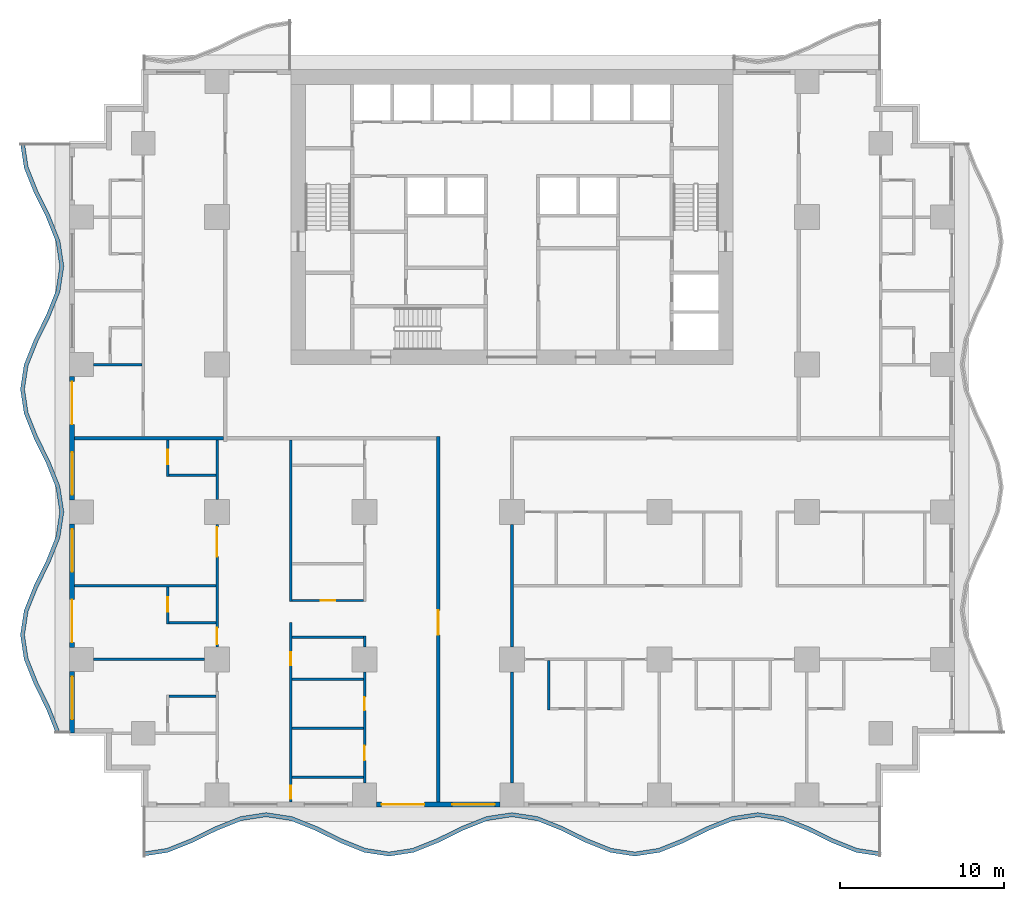
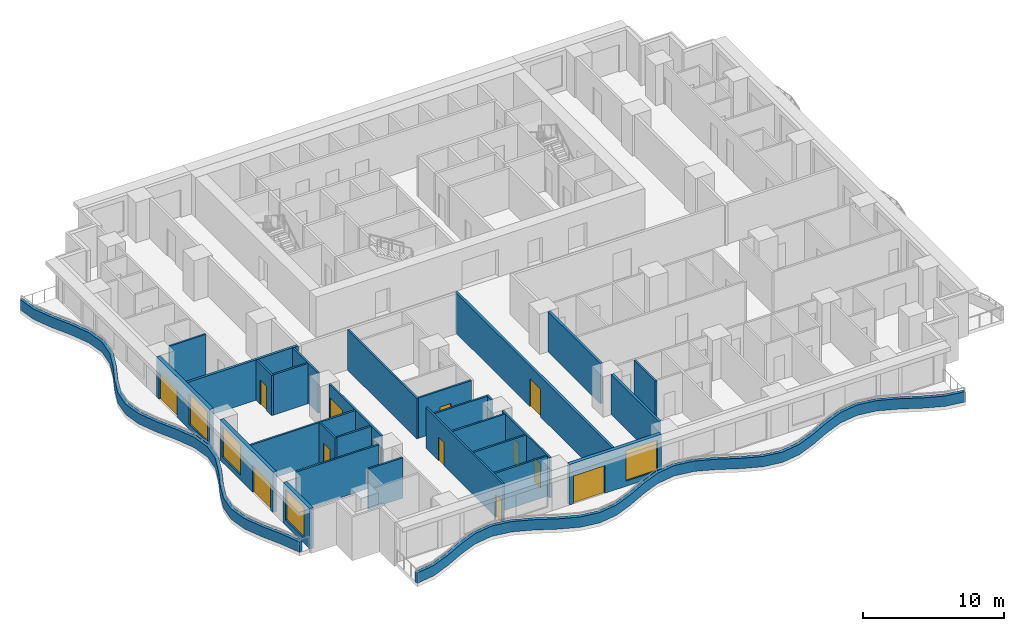
# One storey, part 2 of 14: 30 walls, 13 doors, 4 windows, 17 openings.
"""IFC4 building model written with IfcOpenShell, lengths in metres."""

from ifc_helpers import new_model, si_unit, direction, frame, frame_2d, origin, place, context, subcontext, project, spatial, polyline, rectangle, outline, extrude, material, layer, layer_set, type_object, element, fill, save


model = new_model("IFC4")

# Units and contexts
model_context = context("Model", 3, precision=1e-05, world=origin(), true_north=direction((0.0, 1.0)))
body_context = subcontext(model_context, "Body", "Model", "MODEL_VIEW")
ifc_project = project(units=[si_unit("LENGTHUNIT", "METRE"), si_unit("AREAUNIT", "SQUARE_METRE"), si_unit("VOLUMEUNIT", "CUBIC_METRE"), si_unit("PLANEANGLEUNIT", "RADIAN"), si_unit("MASSUNIT", "GRAM", prefix="KILO")], contexts=[model_context])

# Site, building, storey
site_placement = place(None, origin())
site = spatial("IfcSite", under=ifc_project, at=site_placement, CompositionType="ELEMENT")
building_placement = place(site_placement, origin())
building = spatial("IfcBuilding", under=site, at=building_placement, Name="Orbiselva Terraces", CompositionType="ELEMENT")
storey_placement = place(building_placement, frame((0.0, 0.0, 22.6)))
storey = spatial("IfcBuildingStorey", under=building, at=storey_placement, Name="L05", CompositionType="ELEMENT", Elevation=22.6)

# Walls
ifc_material_1 = material(Name="Concrete C40/50", Category="concrete")
ifc_layer_1 = layer(ifc_material_1, 0.25)
ifc_layer_set_1 = layer_set([ifc_layer_1], Name="Concrete C40/50")
wall_type_1 = type_object("IfcWallType", Name="ENV-PLANTER-250x900", PredefinedType="USERDEFINED", material=ifc_layer_set_1)
wall_1_placement = place(storey_placement, origin())
element("IfcWall", 1, at=wall_1_placement, inside=storey, type_object=wall_type_1, Name="Balcony planter L05 S", ObjectType="PLANTER", PredefinedType="USERDEFINED", context=body_context, shape_type="SweptSolid", body=[
    extrude(outline(polyline([(-22.5, -25.5), (-21.0, -25.27082), (-19.5, -24.67082), (-18.0, -23.92918), (-16.5, -23.32918), (-15.0, -23.1), (-13.5, -23.32918), (-12.0, -23.92918), (-10.5, -24.67082), (-9.0, -25.27082), (-7.5, -25.5), (-6.0, -25.27082), (-4.5, -24.67082), (-3.0, -23.92918), (-1.5, -23.32918), (0.0, -23.1), (1.5, -23.32918), (3.0, -23.92918), (4.5, -24.67082), (6.0, -25.27082), (7.5, -25.5), (9.0, -25.27082), (10.5, -24.67082), (12.0, -23.92918), (13.5, -23.32918), (15.0, -23.1), (16.5, -23.32918), (18.0, -23.92918), (19.5, -24.67082), (21.0, -25.27082), (22.5, -25.5), (22.537758, -25.252868), (21.066166, -25.028028), (19.601983, -24.442355), (18.101983, -23.700715), (16.566166, -23.086388), (15.0, -22.847099), (13.433834, -23.086388), (11.898017, -23.700715), (10.398017, -24.442355), (8.933834, -25.028028), (7.5, -25.247099), (6.066166, -25.028028), (4.601983, -24.442355), (3.101983, -23.700715), (1.566166, -23.086388), (0.0, -22.847099), (-1.566166, -23.086388), (-3.101983, -23.700715), (-4.601983, -24.442355), (-6.066166, -25.028028), (-7.5, -25.247099), (-8.933834, -25.028028), (-10.398017, -24.442355), (-11.898017, -23.700715), (-13.433834, -23.086388), (-15.0, -22.847099), (-16.566166, -23.086388), (-18.101983, -23.700715), (-19.601983, -24.442355), (-21.066166, -25.028028), (-22.537758, -25.252868), (-22.5, -25.5)])), origin(), (0.0, 0.0, 1.0), 0.9),
])
wall_2_placement = place(storey_placement, origin())
element("IfcWall", 2, at=wall_2_placement, inside=storey, type_object=wall_type_1, Name="Balcony planter L05 W", ObjectType="PLANTER", PredefinedType="USERDEFINED", context=body_context, shape_type="SweptSolid", body=[
    extrude(outline(polyline([(-30.0, 18.0), (-29.77082, 16.5), (-29.17082, 15.0), (-28.42918, 13.5), (-27.82918, 12.0), (-27.6, 10.5), (-27.82918, 9.0), (-28.42918, 7.5), (-29.17082, 6.0), (-29.77082, 4.5), (-30.0, 3.0), (-29.77082, 1.5), (-29.17082, 0.0), (-28.42918, -1.5), (-27.82918, -3.0), (-27.6, -4.5), (-27.82918, -6.0), (-28.42918, -7.5), (-29.17082, -9.0), (-29.77082, -10.5), (-30.0, -12.0), (-29.77082, -13.5), (-29.17082, -15.0), (-28.42918, -16.5), (-27.82918, -18.0), (-27.597061, -17.907152), (-28.200715, -16.398017), (-28.942355, -14.898017), (-29.528028, -13.433834), (-29.747099, -12.0), (-29.528028, -10.566166), (-28.942355, -9.101983), (-28.200715, -7.601983), (-27.586388, -6.066166), (-27.347099, -4.5), (-27.586388, -2.933834), (-28.200715, -1.398017), (-28.942355, 0.101983), (-29.528028, 1.566166), (-29.747099, 3.0), (-29.528028, 4.433834), (-28.942355, 5.898017), (-28.200715, 7.398017), (-27.586388, 8.933834), (-27.347099, 10.5), (-27.586388, 12.066166), (-28.200715, 13.601983), (-28.942355, 15.101983), (-29.528028, 16.566166), (-29.752868, 18.037758), (-30.0, 18.0)])), origin(), (0.0, 0.0, 1.0), 0.9),
])

# Wall, openings, door, window
ifc_material_2 = material(Name="Terracotta cladding on masonry backing", Category="masonry")
ifc_layer_2 = layer(ifc_material_2, 0.3)
ifc_layer_set_2 = layer_set([ifc_layer_2], Name="Terracotta cladding on masonry backing")
wall_type_2 = type_object("IfcWallType", Name="ENV-WALL-TERRACOTTA-300", PredefinedType="SOLIDWALL", material=ifc_layer_set_2)
wall_3_placement = place(storey_placement, frame((-0.725, -22.35, 0.0), z_axis=(0.0, 0.0, 1.0), x_axis=(-1.0, 0.0, 0.0)))
wall_3 = element("IfcWall", 3, at=wall_3_placement, inside=storey, type_object=wall_type_2, Name="Facade wall L05 S", PredefinedType="SOLIDWALL", context=body_context, shape_type="SweptSolid", body=[
    extrude(rectangle(XDim=7.55, YDim=0.3, at=frame_2d((3.775, 0.0))), origin(), (0.0, 0.0, 1.0), 3.5),
])
opening_1_placement = place(wall_3_placement, frame((4.625, 0.0, 0.0)))
opening_1 = element("IfcOpeningElement", 4, at=opening_1_placement, cuts=wall_3, Name="Opening Z1-A-E12", PredefinedType="OPENING", context=body_context, shape_type="SweptSolid", body=[
    extrude(rectangle(XDim=2.6, YDim=2.4, at=frame_2d((1.3, 1.2))), frame((0.0, 0.16, 0.0), z_axis=(0.0, -1.0, 0.0), x_axis=(1.0, 0.0, 0.0)), (0.0, 0.0, 1.0), 0.32),
])
opening_2_placement = place(wall_3_placement, frame((0.325, 0.0, 0.45)))
opening_2 = element("IfcOpeningElement", 5, at=opening_2_placement, cuts=wall_3, Name="Opening WN1", PredefinedType="OPENING", context=body_context, shape_type="SweptSolid", body=[
    extrude(rectangle(XDim=2.6, YDim=2.65, at=frame_2d((1.3, 1.325))), frame((0.0, 0.16, 0.0), z_axis=(0.0, -1.0, 0.0), x_axis=(1.0, 0.0, 0.0)), (0.0, 0.0, 1.0), 0.32),
])
ifc_material_3 = material(Name="Clear low-e glazing in aluminium frame", Category="aluminium")
door_type_1 = type_object("IfcDoorType", Name="BALCONY DOOR 2600 X 2400", OperationType="DOUBLE_DOOR_SLIDING", PredefinedType="DOOR", material=ifc_material_3)
door_1_placement = place(opening_1_placement, origin())
door_1 = element("IfcDoor", 6, at=door_1_placement, inside=storey, type_object=door_type_1, Name="Z1-A-E12", OperationType="SINGLE_SWING_LEFT", OverallHeight=2.4, OverallWidth=2.6, PredefinedType="DOOR", context=body_context, shape_type="SweptSolid", body=[
    extrude(rectangle(XDim=2.6, YDim=2.4, at=frame_2d((1.3, 1.2))), frame((0.0, 0.025, 0.0), z_axis=(0.0, -1.0, 0.0), x_axis=(1.0, 0.0, 0.0)), (0.0, 0.0, 1.0), 0.05),
])
fill(opening_1, door_1)
window_type = type_object("IfcWindowType", Name="WINDOW 2600 X 2650 S450", PartitioningType="TRIPLE_PANEL_VERTICAL", PredefinedType="WINDOW", material=ifc_material_3)
window_1_placement = place(opening_2_placement, origin())
window_1 = element("IfcWindow", 7, at=window_1_placement, inside=storey, type_object=window_type, Name="Window L05 S", OverallHeight=2.65, OverallWidth=2.6, PartitioningType="SINGLE_PANEL", PredefinedType="WINDOW", context=body_context, shape_type="SweptSolid", body=[
    extrude(rectangle(XDim=2.6, YDim=2.65, at=frame_2d((1.3, 1.325))), frame((0.0, 0.03, 0.0), z_axis=(0.0, -1.0, 0.0), x_axis=(1.0, 0.0, 0.0)), (0.0, 0.0, 1.0), 0.06),
])
fill(opening_2, window_1)

wall_4_placement = place(storey_placement, frame((-26.85, -3.775, 0.0), z_axis=(0.0, 0.0, 1.0), x_axis=(0.0, 1.0, 0.0)))
wall_4 = element("IfcWall", 8, at=wall_4_placement, inside=storey, type_object=wall_type_2, Name="Facade wall L05 W", PredefinedType="SOLIDWALL", context=body_context, shape_type="SweptSolid", body=[
    extrude(rectangle(XDim=7.55, YDim=0.3, at=frame_2d((3.775, 0.0))), origin(), (0.0, 0.0, 1.0), 3.5),
])
opening_3_placement = place(wall_4_placement, frame((4.625, 0.0, 0.0)))
opening_3 = element("IfcOpeningElement", 9, at=opening_3_placement, cuts=wall_4, Name="Opening Z1-A-E16", PredefinedType="OPENING", context=body_context, shape_type="SweptSolid", body=[
    extrude(rectangle(XDim=2.6, YDim=2.4, at=frame_2d((1.3, 1.2))), frame((0.0, 0.16, 0.0), z_axis=(0.0, -1.0, 0.0), x_axis=(1.0, 0.0, 0.0)), (0.0, 0.0, 1.0), 0.32),
])
opening_4_placement = place(wall_4_placement, frame((0.325, 0.0, 0.45)))
opening_4 = element("IfcOpeningElement", 10, at=opening_4_placement, cuts=wall_4, Name="Opening WN1", PredefinedType="OPENING", context=body_context, shape_type="SweptSolid", body=[
    extrude(rectangle(XDim=2.6, YDim=2.65, at=frame_2d((1.3, 1.325))), frame((0.0, 0.16, 0.0), z_axis=(0.0, -1.0, 0.0), x_axis=(1.0, 0.0, 0.0)), (0.0, 0.0, 1.0), 0.32),
])
door_2_placement = place(opening_3_placement, origin())
door_2 = element("IfcDoor", 11, at=door_2_placement, inside=storey, type_object=door_type_1, Name="Z1-A-E16", OperationType="SINGLE_SWING_LEFT", OverallHeight=2.4, OverallWidth=2.6, PredefinedType="DOOR", context=body_context, shape_type="SweptSolid", body=[
    extrude(rectangle(XDim=2.6, YDim=2.4, at=frame_2d((1.3, 1.2))), frame((0.0, 0.025, 0.0), z_axis=(0.0, -1.0, 0.0), x_axis=(1.0, 0.0, 0.0)), (0.0, 0.0, 1.0), 0.05),
])
fill(opening_3, door_2)
window_2_placement = place(opening_4_placement, origin())
window_2 = element("IfcWindow", 12, at=window_2_placement, inside=storey, type_object=window_type, Name="Window L05 W", OverallHeight=2.65, OverallWidth=2.6, PartitioningType="SINGLE_PANEL", PredefinedType="WINDOW", context=body_context, shape_type="SweptSolid", body=[
    extrude(rectangle(XDim=2.6, YDim=2.65, at=frame_2d((1.3, 1.325))), frame((0.0, 0.03, 0.0), z_axis=(0.0, -1.0, 0.0), x_axis=(1.0, 0.0, 0.0)), (0.0, 0.0, 1.0), 0.06),
])
fill(opening_4, window_2)

wall_5_placement = place(storey_placement, frame((-26.85, -12.775, 0.0), z_axis=(0.0, 0.0, 1.0), x_axis=(0.0, 1.0, 0.0)))
wall_5 = element("IfcWall", 13, at=wall_5_placement, inside=storey, type_object=wall_type_2, Name="Facade wall L05 W", PredefinedType="SOLIDWALL", context=body_context, shape_type="SweptSolid", body=[
    extrude(rectangle(XDim=7.55, YDim=0.3, at=frame_2d((3.775, 0.0))), origin(), (0.0, 0.0, 1.0), 3.5),
])
opening_5_placement = place(wall_5_placement, frame((4.625, 0.0, 0.45)))
opening_5 = element("IfcOpeningElement", 14, at=opening_5_placement, cuts=wall_5, Name="Opening WN1", PredefinedType="OPENING", context=body_context, shape_type="SweptSolid", body=[
    extrude(rectangle(XDim=2.6, YDim=2.65, at=frame_2d((1.3, 1.325))), frame((0.0, 0.16, 0.0), z_axis=(0.0, -1.0, 0.0), x_axis=(1.0, 0.0, 0.0)), (0.0, 0.0, 1.0), 0.32),
])
opening_6_placement = place(wall_5_placement, frame((0.325, 0.0, 0.0)))
opening_6 = element("IfcOpeningElement", 15, at=opening_6_placement, cuts=wall_5, Name="Opening Z1-A-E17", PredefinedType="OPENING", context=body_context, shape_type="SweptSolid", body=[
    extrude(rectangle(XDim=2.6, YDim=2.4, at=frame_2d((1.3, 1.2))), frame((0.0, 0.16, 0.0), z_axis=(0.0, -1.0, 0.0), x_axis=(1.0, 0.0, 0.0)), (0.0, 0.0, 1.0), 0.32),
])
door_3_placement = place(opening_6_placement, origin())
door_3 = element("IfcDoor", 16, at=door_3_placement, inside=storey, type_object=door_type_1, Name="Z1-A-E17", OperationType="SINGLE_SWING_LEFT", OverallHeight=2.4, OverallWidth=2.6, PredefinedType="DOOR", context=body_context, shape_type="SweptSolid", body=[
    extrude(rectangle(XDim=2.6, YDim=2.4, at=frame_2d((1.3, 1.2))), frame((0.0, 0.025, 0.0), z_axis=(0.0, -1.0, 0.0), x_axis=(1.0, 0.0, 0.0)), (0.0, 0.0, 1.0), 0.05),
])
fill(opening_6, door_3)
window_3_placement = place(opening_5_placement, origin())
window_3 = element("IfcWindow", 17, at=window_3_placement, inside=storey, type_object=window_type, Name="Window L05 W", OverallHeight=2.65, OverallWidth=2.6, PartitioningType="SINGLE_PANEL", PredefinedType="WINDOW", context=body_context, shape_type="SweptSolid", body=[
    extrude(rectangle(XDim=2.6, YDim=2.65, at=frame_2d((1.3, 1.325))), frame((0.0, 0.03, 0.0), z_axis=(0.0, -1.0, 0.0), x_axis=(1.0, 0.0, 0.0)), (0.0, 0.0, 1.0), 0.06),
])
fill(opening_5, window_3)

# Wall, opening, window
wall_6_placement = place(storey_placement, frame((-26.85, -18.0, 0.0), z_axis=(0.0, 0.0, 1.0), x_axis=(0.0, 1.0, 0.0)))
wall_6 = element("IfcWall", 18, at=wall_6_placement, inside=storey, type_object=wall_type_2, Name="Facade wall L05 W", PredefinedType="SOLIDWALL", context=body_context, shape_type="SweptSolid", body=[
    extrude(rectangle(XDim=3.775, YDim=0.3, at=frame_2d((1.8875, 0.0))), origin(), (0.0, 0.0, 1.0), 3.5),
])
opening_7_placement = place(wall_6_placement, frame((0.85, 0.0, 0.45)))
opening_7 = element("IfcOpeningElement", 19, at=opening_7_placement, cuts=wall_6, Name="Opening WN1", PredefinedType="OPENING", context=body_context, shape_type="SweptSolid", body=[
    extrude(rectangle(XDim=2.6, YDim=2.65, at=frame_2d((1.3, 1.325))), frame((0.0, 0.16, 0.0), z_axis=(0.0, -1.0, 0.0), x_axis=(1.0, 0.0, 0.0)), (0.0, 0.0, 1.0), 0.32),
])
window_4_placement = place(opening_7_placement, origin())
window_4 = element("IfcWindow", 20, at=window_4_placement, inside=storey, type_object=window_type, Name="Window L05 W", OverallHeight=2.65, OverallWidth=2.6, PartitioningType="SINGLE_PANEL", PredefinedType="WINDOW", context=body_context, shape_type="SweptSolid", body=[
    extrude(rectangle(XDim=2.6, YDim=2.65, at=frame_2d((1.3, 1.325))), frame((0.0, 0.03, 0.0), z_axis=(0.0, -1.0, 0.0), x_axis=(1.0, 0.0, 0.0)), (0.0, 0.0, 1.0), 0.06),
])
fill(opening_7, window_4)

# Wall, opening, door
ifc_material_4 = material(Name="Plasterboard on steel stud partition", Category="steel")
ifc_layer_3 = layer(ifc_material_4, 0.2)
ifc_layer_set_3 = layer_set([ifc_layer_3], Name="Plasterboard on steel stud partition")
wall_type_3 = type_object("IfcWallType", Name="UNIT-ENTRANCE-WALL-200", PredefinedType="PARTITIONING", material=ifc_layer_set_3)
wall_7_placement = place(storey_placement, frame((-4.5, -22.2, 0.0), z_axis=(0.0, 0.0, 1.0), x_axis=(0.0, 1.0, 0.0)))
wall_7 = element("IfcWall", 21, at=wall_7_placement, inside=storey, type_object=wall_type_3, Name="PARTITION L05-066", PredefinedType="PARTITIONING", context=body_context, shape_type="SweptSolid", body=[
    extrude(rectangle(XDim=22.3, YDim=0.2, at=frame_2d((11.15, 0.0))), origin(), (0.0, 0.0, 1.0), 3.5),
])
opening_8_placement = place(wall_7_placement, frame((10.2, 0.0, 0.0)))
opening_8 = element("IfcOpeningElement", 22, at=opening_8_placement, cuts=wall_7, Name="Opening Z1-A-17", PredefinedType="OPENING", context=body_context, shape_type="SweptSolid", body=[
    extrude(rectangle(XDim=1.5, YDim=2.4, at=frame_2d((0.75, 1.2))), frame((0.0, 0.11, 0.0), z_axis=(0.0, -1.0, 0.0), x_axis=(1.0, 0.0, 0.0)), (0.0, 0.0, 1.0), 0.22),
])
ifc_material_5 = material(Name="Painted timber door leaf", Category="wood")
door_type_2 = type_object("IfcDoorType", Name="ENTRANCE DOUBLE DOOR 1500", OperationType="NOTDEFINED", PredefinedType="DOOR", material=ifc_material_5)
door_4_placement = place(opening_8_placement, origin())
door_4 = element("IfcDoor", 23, at=door_4_placement, inside=storey, type_object=door_type_2, Name="Z1-A-17", OperationType="DOUBLE_DOOR_SINGLE_SWING", OverallHeight=2.4, OverallWidth=1.5, PredefinedType="DOOR", context=body_context, shape_type="SweptSolid", body=[
    extrude(rectangle(XDim=1.5, YDim=2.4, at=frame_2d((0.75, 1.2))), frame((0.0, 0.025, 0.0), z_axis=(0.0, -1.0, 0.0), x_axis=(1.0, 0.0, 0.0)), (0.0, 0.0, 1.0), 0.05),
])
fill(opening_8, door_4)

# Walls
wall_8_placement = place(storey_placement, frame((0.0, -21.05, 0.0), z_axis=(0.0, 0.0, 1.0), x_axis=(0.0, 1.0, 0.0)))
element("IfcWall", 24, at=wall_8_placement, inside=storey, type_object=wall_type_3, Name="PARTITION L05-067", PredefinedType="PARTITIONING", context=body_context, shape_type="SweptSolid", body=[
    extrude(rectangle(XDim=6.775, YDim=0.2, at=frame_2d((3.3875, 0.0))), origin(), (0.0, 0.0, 1.0), 3.5),
])
wall_9_placement = place(storey_placement, frame((0.0, -12.725, 0.0), z_axis=(0.0, 0.0, 1.0), x_axis=(0.0, 1.0, 0.0)))
element("IfcWall", 25, at=wall_9_placement, inside=storey, type_object=wall_type_3, Name="PARTITION L05-068", PredefinedType="PARTITIONING", context=body_context, shape_type="SweptSolid", body=[
    extrude(rectangle(XDim=7.45, YDim=0.2, at=frame_2d((3.725, 0.0))), origin(), (0.0, 0.0, 1.0), 3.5),
])
ifc_layer_4 = layer(ifc_material_4, 0.15)
ifc_layer_set_4 = layer_set([ifc_layer_4], Name="Plasterboard on steel stud partition")
wall_type_4 = type_object("IfcWallType", Name="UNIT-PARTITION-150", PredefinedType="PARTITIONING", material=ifc_layer_set_4)
for number, where, z_axis, x_axis, name in (
    (26, (-13.425, -20.7, 0.0), (0.0, 0.0, 1.0), (1.0, 0.0, 0.0), "PARTITION L05-001"),
    (27, (-13.425, -17.7, 0.0), (0.0, 0.0, 1.0), (1.0, 0.0, 0.0), "PARTITION L05-004"),
):
    element("IfcWall", number, at=place(storey_placement, frame(where, z_axis=z_axis, x_axis=x_axis)), inside=storey, type_object=wall_type_4, Name=name, PredefinedType="PARTITIONING", context=body_context, shape_type="SweptSolid", body=[
        extrude(rectangle(XDim=4.35, YDim=0.15, at=frame_2d((2.175, 0.0))), origin(), (0.0, 0.0, 1.0), 3.5),
    ])
wall_10_placement = place(storey_placement, frame((-20.925, -15.75, 0.0), z_axis=(0.0, 0.0, 1.0), x_axis=(1.0, 0.0, 0.0)))
element("IfcWall", 28, at=wall_10_placement, inside=storey, type_object=wall_type_4, Name="PARTITION L05-010", PredefinedType="PARTITIONING", context=body_context, shape_type="SweptSolid", body=[
    extrude(rectangle(XDim=2.85, YDim=0.15, at=frame_2d((1.425, 0.0))), origin(), (0.0, 0.0, 1.0), 3.5),
])
wall_11_placement = place(storey_placement, frame((-13.425, -14.7, 0.0), z_axis=(0.0, 0.0, 1.0), x_axis=(1.0, 0.0, 0.0)))
element("IfcWall", 29, at=wall_11_placement, inside=storey, type_object=wall_type_4, Name="PARTITION L05-011", PredefinedType="PARTITIONING", context=body_context, shape_type="SweptSolid", body=[
    extrude(rectangle(XDim=4.35, YDim=0.15, at=frame_2d((2.175, 0.0))), origin(), (0.0, 0.0, 1.0), 3.5),
])
wall_12_placement = place(storey_placement, frame((-25.55, -13.5, 0.0), z_axis=(0.0, 0.0, 1.0), x_axis=(1.0, 0.0, 0.0)))
element("IfcWall", 30, at=wall_12_placement, inside=storey, type_object=wall_type_4, Name="PARTITION L05-012", PredefinedType="PARTITIONING", context=body_context, shape_type="SweptSolid", body=[
    extrude(rectangle(XDim=6.775, YDim=0.15, at=frame_2d((3.3875, 0.0))), origin(), (0.0, 0.0, 1.0), 3.5),
])
wall_13_placement = place(storey_placement, frame((-13.425, -12.15, 0.0), z_axis=(0.0, 0.0, 1.0), x_axis=(1.0, 0.0, 0.0)))
element("IfcWall", 31, at=wall_13_placement, inside=storey, type_object=wall_type_4, Name="PARTITION L05-016", PredefinedType="PARTITIONING", context=body_context, shape_type="SweptSolid", body=[
    extrude(rectangle(XDim=4.35, YDim=0.15, at=frame_2d((2.175, 0.0))), origin(), (0.0, 0.0, 1.0), 3.5),
])
wall_14_placement = place(storey_placement, frame((-20.925, -11.25, 0.0), z_axis=(0.0, 0.0, 1.0), x_axis=(1.0, 0.0, 0.0)))
element("IfcWall", 32, at=wall_14_placement, inside=storey, type_object=wall_type_4, Name="PARTITION L05-017", PredefinedType="PARTITIONING", context=body_context, shape_type="SweptSolid", body=[
    extrude(rectangle(XDim=2.85, YDim=0.15, at=frame_2d((1.425, 0.0))), origin(), (0.0, 0.0, 1.0), 3.5),
])

# Wall, opening, door
wall_15_placement = place(storey_placement, frame((-13.425, -9.9, 0.0), z_axis=(0.0, 0.0, 1.0), x_axis=(1.0, 0.0, 0.0)))
wall_15 = element("IfcWall", 33, at=wall_15_placement, inside=storey, type_object=wall_type_4, Name="PARTITION L05-018", PredefinedType="PARTITIONING", context=body_context, shape_type="SweptSolid", body=[
    extrude(rectangle(XDim=4.35, YDim=0.15, at=frame_2d((2.175, 0.0))), origin(), (0.0, 0.0, 1.0), 3.5),
])
opening_9_placement = place(wall_15_placement, frame((1.75, 0.0, 0.0)))
opening_9 = element("IfcOpeningElement", 34, at=opening_9_placement, cuts=wall_15, Name="Opening Z1-A-20", PredefinedType="OPENING", context=body_context, shape_type="SweptSolid", body=[
    extrude(rectangle(XDim=0.9, YDim=2.1, at=frame_2d((0.45, 1.05))), frame((0.0, 0.085, 0.0), z_axis=(0.0, -1.0, 0.0), x_axis=(1.0, 0.0, 0.0)), (0.0, 0.0, 1.0), 0.17),
])
door_type_3 = type_object("IfcDoorType", Name="BATH DOOR 900", OperationType="NOTDEFINED", PredefinedType="DOOR", material=ifc_material_5)
door_5_placement = place(opening_9_placement, origin())
door_5 = element("IfcDoor", 35, at=door_5_placement, inside=storey, type_object=door_type_3, Name="Z1-A-20", OperationType="SINGLE_SWING_RIGHT", OverallHeight=2.1, OverallWidth=0.9, PredefinedType="DOOR", context=body_context, shape_type="SweptSolid", body=[
    extrude(rectangle(XDim=0.9, YDim=2.1, at=frame_2d((0.45, 1.05))), frame((0.0, 0.025, 0.0), z_axis=(0.0, -1.0, 0.0), x_axis=(1.0, 0.0, 0.0)), (0.0, 0.0, 1.0), 0.05),
])
fill(opening_9, door_5)

# Walls
wall_16_placement = place(storey_placement, frame((-26.7, -9.0, 0.0), z_axis=(0.0, 0.0, 1.0), x_axis=(1.0, 0.0, 0.0)))
element("IfcWall", 36, at=wall_16_placement, inside=storey, type_object=wall_type_4, Name="PARTITION L05-019", PredefinedType="PARTITIONING", context=body_context, shape_type="SweptSolid", body=[
    extrude(rectangle(XDim=8.625, YDim=0.15, at=frame_2d((4.3125, 0.0))), origin(), (0.0, 0.0, 1.0), 3.5),
])
wall_17_placement = place(storey_placement, frame((-20.925, -2.25, 0.0), z_axis=(0.0, 0.0, 1.0), x_axis=(1.0, 0.0, 0.0)))
element("IfcWall", 37, at=wall_17_placement, inside=storey, type_object=wall_type_4, Name="PARTITION L05-027", PredefinedType="PARTITIONING", context=body_context, shape_type="SweptSolid", body=[
    extrude(rectangle(XDim=2.85, YDim=0.15, at=frame_2d((1.425, 0.0))), origin(), (0.0, 0.0, 1.0), 3.5),
])
wall_18_placement = place(storey_placement, frame((-25.55, 4.5, 0.0), z_axis=(0.0, 0.0, 1.0), x_axis=(1.0, 0.0, 0.0)))
element("IfcWall", 38, at=wall_18_placement, inside=storey, type_object=wall_type_4, Name="PARTITION L05-033", PredefinedType="PARTITIONING", context=body_context, shape_type="SweptSolid", body=[
    extrude(rectangle(XDim=2.975, YDim=0.15, at=frame_2d((1.4875, 0.0))), origin(), (0.0, 0.0, 1.0), 3.5),
])

# Wall, opening, door
wall_19_placement = place(storey_placement, frame((-21.0, -9.075, 0.0), z_axis=(0.0, 0.0, 1.0), x_axis=(0.0, -1.0, 0.0)))
wall_19 = element("IfcWall", 39, at=wall_19_placement, inside=storey, type_object=wall_type_4, Name="PARTITION L05-052", PredefinedType="PARTITIONING", context=body_context, shape_type="SweptSolid", body=[
    extrude(rectangle(XDim=2.25, YDim=0.15, at=frame_2d((1.125, 0.0))), origin(), (0.0, 0.0, 1.0), 3.5),
])
opening_10_placement = place(wall_19_placement, frame((0.625, 0.0, 0.0)))
opening_10 = element("IfcOpeningElement", 40, at=opening_10_placement, cuts=wall_19, Name="Opening Z1-A-28", PredefinedType="OPENING", context=body_context, shape_type="SweptSolid", body=[
    extrude(rectangle(XDim=0.9, YDim=2.1, at=frame_2d((0.45, 1.05))), frame((0.0, 0.085, 0.0), z_axis=(0.0, -1.0, 0.0), x_axis=(1.0, 0.0, 0.0)), (0.0, 0.0, 1.0), 0.17),
])
door_6_placement = place(opening_10_placement, origin())
door_6 = element("IfcDoor", 41, at=door_6_placement, inside=storey, type_object=door_type_3, Name="Z1-A-28", OperationType="SINGLE_SWING_LEFT", OverallHeight=2.1, OverallWidth=0.9, PredefinedType="DOOR", context=body_context, shape_type="SweptSolid", body=[
    extrude(rectangle(XDim=0.9, YDim=2.1, at=frame_2d((0.45, 1.05))), frame((0.0, 0.025, 0.0), z_axis=(0.0, -1.0, 0.0), x_axis=(1.0, 0.0, 0.0)), (0.0, 0.0, 1.0), 0.05),
])
fill(opening_10, door_6)

wall_20_placement = place(storey_placement, frame((-21.0, -0.1, 0.0), z_axis=(0.0, 0.0, 1.0), x_axis=(0.0, -1.0, 0.0)))
wall_20 = element("IfcWall", 42, at=wall_20_placement, inside=storey, type_object=wall_type_4, Name="PARTITION L05-053", PredefinedType="PARTITIONING", context=body_context, shape_type="SweptSolid", body=[
    extrude(rectangle(XDim=2.225, YDim=0.15, at=frame_2d((1.1125, 0.0))), origin(), (0.0, 0.0, 1.0), 3.5),
])
opening_11_placement = place(wall_20_placement, frame((0.6, 0.0, 0.0)))
opening_11 = element("IfcOpeningElement", 43, at=opening_11_placement, cuts=wall_20, Name="Opening Z1-A-26", PredefinedType="OPENING", context=body_context, shape_type="SweptSolid", body=[
    extrude(rectangle(XDim=0.9, YDim=2.1, at=frame_2d((0.45, 1.05))), frame((0.0, 0.085, 0.0), z_axis=(0.0, -1.0, 0.0), x_axis=(1.0, 0.0, 0.0)), (0.0, 0.0, 1.0), 0.17),
])
door_7_placement = place(opening_11_placement, origin())
door_7 = element("IfcDoor", 44, at=door_7_placement, inside=storey, type_object=door_type_3, Name="Z1-A-26", OperationType="SINGLE_SWING_LEFT", OverallHeight=2.1, OverallWidth=0.9, PredefinedType="DOOR", context=body_context, shape_type="SweptSolid", body=[
    extrude(rectangle(XDim=0.9, YDim=2.1, at=frame_2d((0.45, 1.05))), frame((0.0, 0.025, 0.0), z_axis=(0.0, -1.0, 0.0), x_axis=(1.0, 0.0, 0.0)), (0.0, 0.0, 1.0), 0.05),
])
fill(opening_11, door_7)

# Wall, openings, doors
wall_21_placement = place(storey_placement, frame((-18.0, -12.725, 0.0), z_axis=(0.0, 0.0, 1.0), x_axis=(0.0, 1.0, 0.0)))
wall_21 = element("IfcWall", 45, at=wall_21_placement, inside=storey, type_object=wall_type_4, Name="PARTITION L05-055", PredefinedType="PARTITIONING", context=body_context, shape_type="SweptSolid", body=[
    extrude(rectangle(XDim=7.45, YDim=0.15, at=frame_2d((3.725, 0.0))), origin(), (0.0, 0.0, 1.0), 3.5),
])
opening_12_placement = place(wall_21_placement, frame((5.5, 0.0, 0.0)))
opening_12 = element("IfcOpeningElement", 46, at=opening_12_placement, cuts=wall_21, Name="Opening Z1-A-25", PredefinedType="OPENING", context=body_context, shape_type="SweptSolid", body=[
    extrude(rectangle(XDim=1.8, YDim=2.4, at=frame_2d((0.9, 1.2))), frame((0.0, 0.085, 0.0), z_axis=(0.0, -1.0, 0.0), x_axis=(1.0, 0.0, 0.0)), (0.0, 0.0, 1.0), 0.17),
])
opening_13_placement = place(wall_21_placement, frame((0.15, 0.0, 0.0)))
opening_13 = element("IfcOpeningElement", 47, at=opening_13_placement, cuts=wall_21, Name="Opening Z1-A-27", PredefinedType="OPENING", context=body_context, shape_type="SweptSolid", body=[
    extrude(rectangle(XDim=1.0, YDim=2.4, at=frame_2d((0.5, 1.2))), frame((0.0, 0.085, 0.0), z_axis=(0.0, -1.0, 0.0), x_axis=(1.0, 0.0, 0.0)), (0.0, 0.0, 1.0), 0.17),
])
door_type_4 = type_object("IfcDoorType", Name="DOUBLE DOOR 1800", OperationType="NOTDEFINED", PredefinedType="DOOR", material=ifc_material_5)
door_8_placement = place(opening_12_placement, origin())
door_8 = element("IfcDoor", 48, at=door_8_placement, inside=storey, type_object=door_type_4, Name="Z1-A-25", OperationType="DOUBLE_DOOR_SINGLE_SWING", OverallHeight=2.4, OverallWidth=1.8, PredefinedType="DOOR", context=body_context, shape_type="SweptSolid", body=[
    extrude(rectangle(XDim=1.8, YDim=2.4, at=frame_2d((0.9, 1.2))), frame((0.0, 0.025, 0.0), z_axis=(0.0, -1.0, 0.0), x_axis=(1.0, 0.0, 0.0)), (0.0, 0.0, 1.0), 0.05),
])
fill(opening_12, door_8)
door_type_5 = type_object("IfcDoorType", Name="ROOM DOOR 1000", OperationType="NOTDEFINED", PredefinedType="DOOR", material=ifc_material_5)
door_9_placement = place(opening_13_placement, origin())
door_9 = element("IfcDoor", 49, at=door_9_placement, inside=storey, type_object=door_type_5, Name="Z1-A-27", OperationType="SINGLE_SWING_LEFT", OverallHeight=2.4, OverallWidth=1.0, PredefinedType="DOOR", context=body_context, shape_type="SweptSolid", body=[
    extrude(rectangle(XDim=1.0, YDim=2.4, at=frame_2d((0.5, 1.2))), frame((0.0, 0.025, 0.0), z_axis=(0.0, -1.0, 0.0), x_axis=(1.0, 0.0, 0.0)), (0.0, 0.0, 1.0), 0.05),
])
fill(opening_13, door_9)

# Wall
wall_22_placement = place(storey_placement, frame((-18.0, -3.725, 0.0), z_axis=(0.0, 0.0, 1.0), x_axis=(0.0, 1.0, 0.0)))
element("IfcWall", 50, at=wall_22_placement, inside=storey, type_object=wall_type_4, Name="PARTITION L05-056", PredefinedType="PARTITIONING", context=body_context, shape_type="SweptSolid", body=[
    extrude(rectangle(XDim=3.625, YDim=0.15, at=frame_2d((1.8125, 0.0))), origin(), (0.0, 0.0, 1.0), 3.5),
])

# Wall, openings, doors
wall_23_placement = place(storey_placement, frame((-13.5, -11.25, 0.0), z_axis=(0.0, 0.0, 1.0), x_axis=(0.0, -1.0, 0.0)))
wall_23 = element("IfcWall", 51, at=wall_23_placement, inside=storey, type_object=wall_type_4, Name="PARTITION L05-060", PredefinedType="PARTITIONING", context=body_context, shape_type="SweptSolid", body=[
    extrude(rectangle(XDim=10.95, YDim=0.15, at=frame_2d((5.475, 0.0))), origin(), (0.0, 0.0, 1.0), 3.5),
])
opening_14_placement = place(wall_23_placement, frame((1.8, 0.0, 0.0)))
opening_14 = element("IfcOpeningElement", 52, at=opening_14_placement, cuts=wall_23, Name="Opening Z1-A-21", PredefinedType="OPENING", context=body_context, shape_type="SweptSolid", body=[
    extrude(rectangle(XDim=0.8, YDim=2.0, at=frame_2d((0.4, 1.0))), frame((0.0, 0.085, 0.0), z_axis=(0.0, -1.0, 0.0), x_axis=(1.0, 0.0, 0.0)), (0.0, 0.0, 1.0), 0.17),
])
opening_15_placement = place(wall_23_placement, frame((9.95, 0.0, 0.0)))
opening_15 = element("IfcOpeningElement", 53, at=opening_15_placement, cuts=wall_23, Name="Opening Z1-A-24", PredefinedType="OPENING", context=body_context, shape_type="SweptSolid", body=[
    extrude(rectangle(XDim=0.8, YDim=2.0, at=frame_2d((0.4, 1.0))), frame((0.0, 0.085, 0.0), z_axis=(0.0, -1.0, 0.0), x_axis=(1.0, 0.0, 0.0)), (0.0, 0.0, 1.0), 0.17),
])
door_type_6 = type_object("IfcDoorType", Name="STORE DOOR 800", OperationType="NOTDEFINED", PredefinedType="DOOR", material=ifc_material_5)
door_10_placement = place(opening_14_placement, origin())
door_10 = element("IfcDoor", 54, at=door_10_placement, inside=storey, type_object=door_type_6, Name="Z1-A-21", OperationType="SINGLE_SWING_LEFT", OverallHeight=2.0, OverallWidth=0.8, PredefinedType="DOOR", context=body_context, shape_type="SweptSolid", body=[
    extrude(rectangle(XDim=0.8, YDim=2.0, at=frame_2d((0.4, 1.0))), frame((0.0, 0.025, 0.0), z_axis=(0.0, -1.0, 0.0), x_axis=(1.0, 0.0, 0.0)), (0.0, 0.0, 1.0), 0.05),
])
fill(opening_14, door_10)
door_11_placement = place(opening_15_placement, origin())
door_11 = element("IfcDoor", 55, at=door_11_placement, inside=storey, type_object=door_type_6, Name="Z1-A-24", OperationType="SINGLE_SWING_RIGHT", OverallHeight=2.0, OverallWidth=0.8, PredefinedType="DOOR", context=body_context, shape_type="SweptSolid", body=[
    extrude(rectangle(XDim=0.8, YDim=2.0, at=frame_2d((0.4, 1.0))), frame((0.0, 0.025, 0.0), z_axis=(0.0, -1.0, 0.0), x_axis=(1.0, 0.0, 0.0)), (0.0, 0.0, 1.0), 0.05),
])
fill(opening_15, door_11)

# Wall
wall_24_placement = place(storey_placement, frame((-13.5, -9.975, 0.0), z_axis=(0.0, 0.0, 1.0), x_axis=(0.0, 1.0, 0.0)))
element("IfcWall", 56, at=wall_24_placement, inside=storey, type_object=wall_type_4, Name="PARTITION L05-061", PredefinedType="PARTITIONING", context=body_context, shape_type="SweptSolid", body=[
    extrude(rectangle(XDim=9.875, YDim=0.15, at=frame_2d((4.9375, 0.0))), origin(), (0.0, 0.0, 1.0), 3.5),
])

# Wall, openings, doors
wall_25_placement = place(storey_placement, frame((-9.0, -21.05, 0.0), z_axis=(0.0, 0.0, 1.0), x_axis=(0.0, 1.0, 0.0)))
wall_25 = element("IfcWall", 57, at=wall_25_placement, inside=storey, type_object=wall_type_4, Name="PARTITION L05-062", PredefinedType="PARTITIONING", context=body_context, shape_type="SweptSolid", body=[
    extrude(rectangle(XDim=6.775, YDim=0.15, at=frame_2d((3.3875, 0.0))), origin(), (0.0, 0.0, 1.0), 3.5),
])
opening_16_placement = place(wall_25_placement, frame((4.45, 0.0, 0.0)))
opening_16 = element("IfcOpeningElement", 58, at=opening_16_placement, cuts=wall_25, Name="Opening Z1-A-22", PredefinedType="OPENING", context=body_context, shape_type="SweptSolid", body=[
    extrude(rectangle(XDim=0.8, YDim=2.0, at=frame_2d((0.4, 1.0))), frame((0.0, 0.085, 0.0), z_axis=(0.0, -1.0, 0.0), x_axis=(1.0, 0.0, 0.0)), (0.0, 0.0, 1.0), 0.17),
])
opening_17_placement = place(wall_25_placement, frame((1.4, 0.0, 0.0)))
opening_17 = element("IfcOpeningElement", 59, at=opening_17_placement, cuts=wall_25, Name="Opening Z1-A-23", PredefinedType="OPENING", context=body_context, shape_type="SweptSolid", body=[
    extrude(rectangle(XDim=0.9, YDim=2.1, at=frame_2d((0.45, 1.05))), frame((0.0, 0.085, 0.0), z_axis=(0.0, -1.0, 0.0), x_axis=(1.0, 0.0, 0.0)), (0.0, 0.0, 1.0), 0.17),
])
door_type_7 = type_object("IfcDoorType", Name="SERVICE DOOR 900", OperationType="NOTDEFINED", PredefinedType="DOOR", material=ifc_material_5)
door_12_placement = place(opening_17_placement, origin())
door_12 = element("IfcDoor", 60, at=door_12_placement, inside=storey, type_object=door_type_7, Name="Z1-A-23", OperationType="SINGLE_SWING_LEFT", OverallHeight=2.1, OverallWidth=0.9, PredefinedType="DOOR", context=body_context, shape_type="SweptSolid", body=[
    extrude(rectangle(XDim=0.9, YDim=2.1, at=frame_2d((0.45, 1.05))), frame((0.0, 0.025, 0.0), z_axis=(0.0, -1.0, 0.0), x_axis=(1.0, 0.0, 0.0)), (0.0, 0.0, 1.0), 0.05),
])
fill(opening_17, door_12)
door_13_placement = place(opening_16_placement, origin())
door_13 = element("IfcDoor", 61, at=door_13_placement, inside=storey, type_object=door_type_6, Name="Z1-A-22", OperationType="SINGLE_SWING_RIGHT", OverallHeight=2.0, OverallWidth=0.8, PredefinedType="DOOR", context=body_context, shape_type="SweptSolid", body=[
    extrude(rectangle(XDim=0.8, YDim=2.0, at=frame_2d((0.4, 1.0))), frame((0.0, 0.025, 0.0), z_axis=(0.0, -1.0, 0.0), x_axis=(1.0, 0.0, 0.0)), (0.0, 0.0, 1.0), 0.05),
])
fill(opening_16, door_13)

# Walls
wall_26_placement = place(storey_placement, frame((-9.0, -12.725, 0.0), z_axis=(0.0, 0.0, 1.0), x_axis=(0.0, 1.0, 0.0)))
element("IfcWall", 62, at=wall_26_placement, inside=storey, type_object=wall_type_4, Name="PARTITION L05-063", PredefinedType="PARTITIONING", context=body_context, shape_type="SweptSolid", body=[
    extrude(rectangle(XDim=0.65, YDim=0.15, at=frame_2d((0.325, 0.0))), origin(), (0.0, 0.0, 1.0), 3.5),
])
wall_27_placement = place(storey_placement, frame((2.25, -16.575, 0.0), z_axis=(0.0, 0.0, 1.0), x_axis=(0.0, 1.0, 0.0)))
element("IfcWall", 63, at=wall_27_placement, inside=storey, type_object=wall_type_4, Name="PARTITION L05-070", PredefinedType="PARTITIONING", context=body_context, shape_type="SweptSolid", body=[
    extrude(rectangle(XDim=3.0, YDim=0.15, at=frame_2d((1.5, 0.0))), origin(), (0.0, 0.0, 1.0), 3.5),
])
ifc_layer_5 = layer(ifc_material_4, 0.2)
ifc_layer_set_5 = layer_set([ifc_layer_5], Name="Plasterboard on steel stud partition")
wall_type_5 = type_object("IfcWallType", Name="UNIT-PARTY-WALL-200", PredefinedType="PARTITIONING", material=ifc_layer_set_5)
wall_28_placement = place(storey_placement, frame((-26.7, 0.0, 0.0), z_axis=(0.0, 0.0, 1.0), x_axis=(1.0, 0.0, 0.0)))
element("IfcWall", 64, at=wall_28_placement, inside=storey, type_object=wall_type_5, Name="PARTITION L05-031", PredefinedType="PARTITIONING", context=body_context, shape_type="SweptSolid", body=[
    extrude(rectangle(XDim=9.1, YDim=0.2, at=frame_2d((4.55, 0.0))), origin(), (0.0, 0.0, 1.0), 3.5),
])

save(model, "model.ifc")
